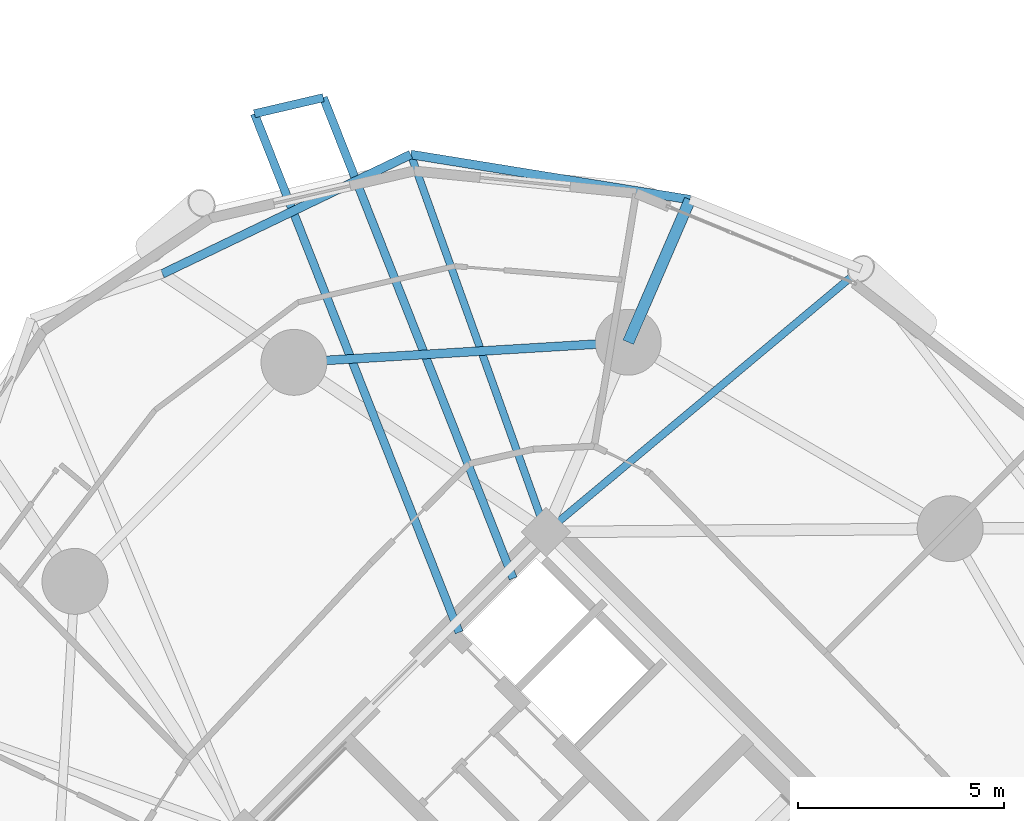
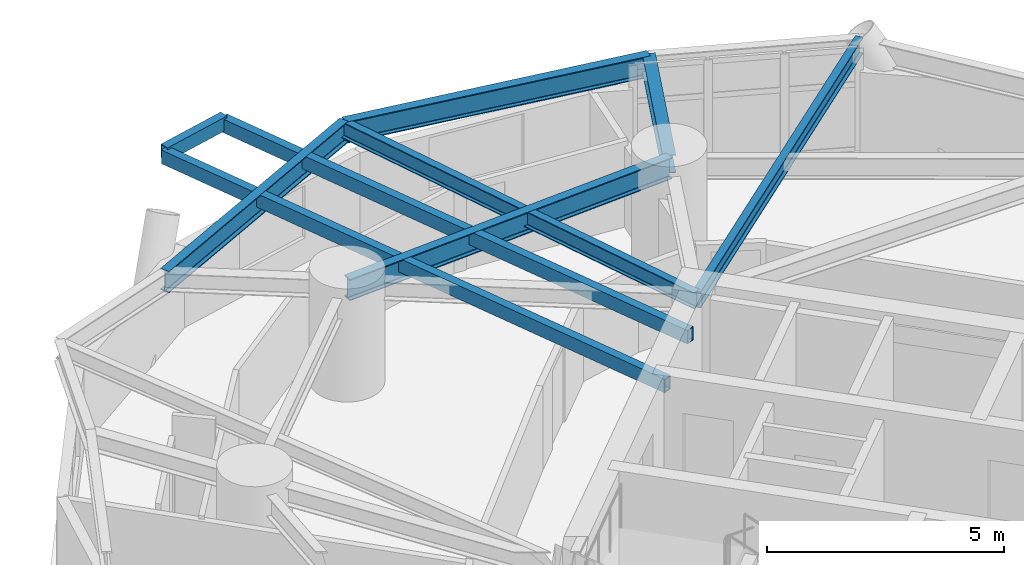
# One storey, part 6 of 18: 9 beams.
"""IFC4 building model written with IfcOpenShell, lengths in metres."""

from ifc_helpers import new_model, si_unit, direction, frame, origin, origin_2d, place, context, subcontext, project, spatial, hollow_rectangle, i_section, extrude, material, material_profile, profile_set, type_object, element, save


model = new_model("IFC4")

# Units and contexts
model_context = context("Model", 3, precision=1e-05, world=origin(), true_north=direction((0.0, 1.0)))
body_context = subcontext(model_context, "Body", "Model", "MODEL_VIEW")
ifc_project = project(units=[si_unit("LENGTHUNIT", "METRE"), si_unit("AREAUNIT", "SQUARE_METRE"), si_unit("VOLUMEUNIT", "CUBIC_METRE"), si_unit("PLANEANGLEUNIT", "RADIAN"), si_unit("MASSUNIT", "GRAM", prefix="KILO")], contexts=[model_context])

# Site, building, storey
site_placement = place(None, origin())
site = spatial("IfcSite", under=ifc_project, at=site_placement, CompositionType="ELEMENT")
building_placement = place(site_placement, origin())
building = spatial("IfcBuilding", under=site, at=building_placement, Name="Cununo Teusaquillo Station Towers", CompositionType="ELEMENT")
storey_placement = place(building_placement, frame((0.0, 0.0, 45.280029296875)))
storey = spatial("IfcBuildingStorey", under=building, at=storey_placement, Name="L13", CompositionType="ELEMENT", Elevation=45.280029296875)

# Beams
ifc_material_1 = material(Name="Steel EN 10025-2 S355J2", Category="steel")
ifc_material_profile_1 = material_profile(ifc_material_1, hollow_rectangle(XDim=0.199951171875, YDim=0.35009765625, WallThickness=0.013916015625, at=origin_2d()), Name="RHS 350x200x14")
ifc_profile_set_1 = profile_set([ifc_material_profile_1], Name="Steel EN 10025-2 S355J2")
beam_type_1 = type_object("IfcBeamType", Name="BM-BAL-CANT", PredefinedType="BEAM", material=ifc_profile_set_1)
beam_1_placement = place(storey_placement, frame((55.494384765625, 31.89892578125, 2.474853515625), z_axis=(-0.367063787218, 0.930195773003, 0.0), x_axis=(-0.930195773003, -0.367063787218, 0.0)))
element("IfcBeam", 1, at=beam_1_placement, inside=storey, type_object=beam_type_1, Name="L13 Tower B Balcony Cantilever Bracket 1A", PredefinedType="BEAM", context=body_context, shape_type="SweptSolid", body=[
    extrude(hollow_rectangle(XDim=0.199951171875, YDim=0.35009765625, WallThickness=0.013916015625, at=origin_2d()), origin(), (0.0, 0.0, 1.0), 12.551513671875),
])
beam_2_placement = place(storey_placement, frame((54.18359375, 30.587890625, 2.474853515625), z_axis=(-0.367068832548, 0.930193782054, 0.0), x_axis=(-0.930193782054, -0.367068832548, 0.0)))
element("IfcBeam", 2, at=beam_2_placement, inside=storey, type_object=beam_type_1, Name="L13 Tower B Balcony Cantilever Bracket 1B", PredefinedType="BEAM", context=body_context, shape_type="SweptSolid", body=[
    extrude(hollow_rectangle(XDim=0.199951171875, YDim=0.35009765625, WallThickness=0.013916015625, at=origin_2d()), origin(), (0.0, 0.0, 1.0), 13.541015625),
])
ifc_material_2 = material(Name="Steel ASTM A572 Grade 50", Category="steel")
ifc_material_profile_2 = material_profile(ifc_material_2, i_section(OverallWidth=0.180908203125, OverallDepth=0.4169921875, WebThickness=0.010986328125, FlangeThickness=0.018310546875, FilletRadius=0.012939453125, at=origin_2d()), Name="W16X57")
ifc_profile_set_2 = profile_set([ifc_material_profile_2], Name="Steel ASTM A572 Grade 50")
beam_type_2 = type_object("IfcBeamType", Name="BM-JOIST-1", PredefinedType="JOIST", material=ifc_profile_set_2)
beam_3_placement = place(storey_placement, frame((56.29443359375, 33.024169921875, 2.44140625), z_axis=(0.767277092139, 0.641315728701, 0.0), x_axis=(-0.641315728701, 0.767277092139, 0.0)))
element("IfcBeam", 3, at=beam_3_placement, inside=storey, type_object=beam_type_2, Name="L13 Tower B Radial Spandrel Joist V01", PredefinedType="JOIST", context=body_context, shape_type="SweptSolid", body=[
    extrude(i_section(OverallWidth=0.180908203125, OverallDepth=0.4169921875, WebThickness=0.010986328125, FlangeThickness=0.018310546875, FilletRadius=0.012939453125, at=origin_2d()), origin(), (0.0, 0.0, 1.0), 9.97021484375),
])
beam_4_placement = place(storey_placement, frame((56.29443359375, 33.024169921875, 2.44140625), z_axis=(-0.337279411522, 0.941404588136, 0.0), x_axis=(-0.941404588136, -0.337279411522, 0.0)))
element("IfcBeam", 4, at=beam_4_placement, inside=storey, type_object=beam_type_2, Name="L13 Tower B Radial Spandrel Joist V03", PredefinedType="JOIST", context=body_context, shape_type="SweptSolid", body=[
    extrude(i_section(OverallWidth=0.180908203125, OverallDepth=0.4169921875, WebThickness=0.010986328125, FlangeThickness=0.018310546875, FilletRadius=0.012939453125, at=origin_2d()), origin(), (0.0, 0.0, 1.0), 9.740234375),
])
ifc_material_3 = material(Name="Steel ASTM A572 Grade 50", Category="steel")
ifc_material_profile_3 = material_profile(ifc_material_3, i_section(OverallWidth=0.280029296875, OverallDepth=0.462890625, WebThickness=0.0107421875, FlangeThickness=0.017333984375, FilletRadius=0.013916015625, at=origin_2d()), Name="W18X76")
ifc_profile_set_3 = profile_set([ifc_material_profile_3], Name="Steel ASTM A572 Grade 50")
beam_type_3 = type_object("IfcBeamType", Name="BM-RAD-G1", PredefinedType="BEAM", material=ifc_profile_set_3)
beam_5_placement = place(storey_placement, frame((58.291015625, 37.63525390625, 2.41845703125), z_axis=(0.397391354301, 0.917649231203, 0.0), x_axis=(-0.917649231203, 0.397391354301, 0.0)))
element("IfcBeam", 5, at=beam_5_placement, inside=storey, type_object=beam_type_3, Name="L13 Tower B Perimeter Overhang Girder 02B", PredefinedType="BEAM", context=body_context, shape_type="SweptSolid", body=[
    extrude(i_section(OverallWidth=0.280029296875, OverallDepth=0.462890625, WebThickness=0.0107421875, FlangeThickness=0.017333984375, FilletRadius=0.013916015625, at=origin_2d()), origin(), (0.0, 0.0, 1.0), 3.7734375),
])
ifc_material_4 = material(Name="Steel ASTM A572 Grade 50", Category="steel")
ifc_material_profile_4 = material_profile(ifc_material_4, i_section(OverallWidth=0.214111328125, OverallDepth=0.549072265625, WebThickness=0.0146484375, FlangeThickness=0.023681640625, FilletRadius=0.014892578125, at=origin_2d()), Name="W21X93")
ifc_profile_set_4 = profile_set([ifc_material_profile_4], Name="Steel ASTM A572 Grade 50")
beam_type_4 = type_object("IfcBeamType", Name="BM-RING-Z1", PredefinedType="SPANDREL", material=ifc_profile_set_4)
beam_6_placement = place(storey_placement, frame((58.291015625, 37.63525390625, 2.37548828125), z_axis=(-0.998190567048, -0.06012979176, 0.0), x_axis=(0.06012979176, -0.998190567048, 0.0)))
element("IfcBeam", 6, at=beam_6_placement, inside=storey, type_object=beam_type_4, Name="L13 Tower B Structural Column Ring Girder 02", PredefinedType="SPANDREL", context=body_context, shape_type="SweptSolid", body=[
    extrude(i_section(OverallWidth=0.214111328125, OverallDepth=0.549072265625, WebThickness=0.0146484375, FlangeThickness=0.023681640625, FilletRadius=0.014892578125, at=origin_2d()), origin(), (0.0, 0.0, 1.0), 8.132568359375),
])
beam_7_placement = place(storey_placement, frame((59.79052734375, 41.097900390625, 2.37548828125), z_axis=(-0.987196384793, 0.15950955411, 0.0), x_axis=(-0.15950955411, -0.987196384793, 0.0)))
element("IfcBeam", 7, at=beam_7_placement, inside=storey, type_object=beam_type_4, Name="L13 Tower B Spandrel Ring Beam 03", PredefinedType="SPANDREL", context=body_context, shape_type="SweptSolid", body=[
    extrude(i_section(OverallWidth=0.214111328125, OverallDepth=0.549072265625, WebThickness=0.0146484375, FlangeThickness=0.023681640625, FilletRadius=0.014892578125, at=origin_2d()), origin(), (0.0, 0.0, 1.0), 6.869140625),
])
beam_8_placement = place(storey_placement, frame((53.00927734375, 42.193603515625, 2.37548828125), z_axis=(-0.901374357189, -0.433040723491, 0.0), x_axis=(0.433040723491, -0.901374357189, 0.0)))
element("IfcBeam", 8, at=beam_8_placement, inside=storey, type_object=beam_type_4, Name="L13 Tower B Spandrel Ring Beam 04", PredefinedType="SPANDREL", context=body_context, shape_type="SweptSolid", body=[
    extrude(i_section(OverallWidth=0.214111328125, OverallDepth=0.549072265625, WebThickness=0.0146484375, FlangeThickness=0.023681640625, FilletRadius=0.014892578125, at=origin_2d()), origin(), (0.0, 0.0, 1.0), 6.689208984375),
])
ifc_material_5 = material(Name="Steel EN 10025-2 S355J2", Category="steel")
ifc_material_profile_5 = material_profile(ifc_material_5, hollow_rectangle(XDim=0.199951171875, YDim=0.35009765625, WallThickness=0.013916015625, at=origin_2d()), Name="RHS 350x200x14")
ifc_profile_set_5 = profile_set([ifc_material_profile_5], Name="Steel EN 10025-2 S355J2")
beam_type_5 = type_object("IfcBeamType", Name="BM-STAIR-TRIM", PredefinedType="BEAM", material=ifc_profile_set_5)
beam_9_placement = place(storey_placement, frame((50.88720703125, 43.57421875, 2.52490234375), z_axis=(-0.973840162156, -0.227234105214, 0.0), x_axis=(0.227234105214, -0.973840162156, 0.0)))
element("IfcBeam", 9, at=beam_9_placement, inside=storey, type_object=beam_type_5, Name="L13 Tower B Balcony Edge Trimmer Beam 1", PredefinedType="BEAM", context=body_context, shape_type="SweptSolid", body=[
    extrude(hollow_rectangle(XDim=0.199951171875, YDim=0.35009765625, WallThickness=0.013916015625, at=origin_2d()), origin(), (0.0, 0.0, 1.0), 1.718994140625),
])

save(model, "model.ifc")
